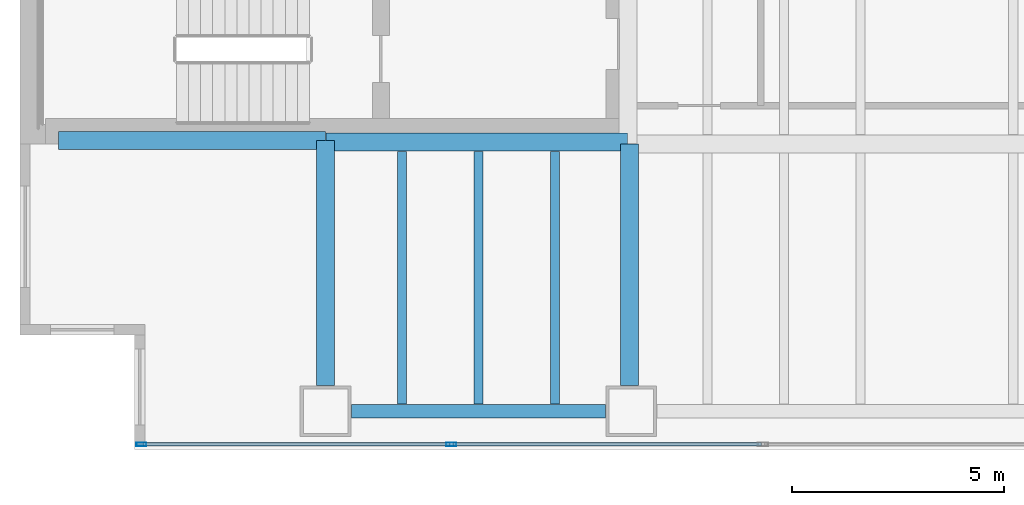
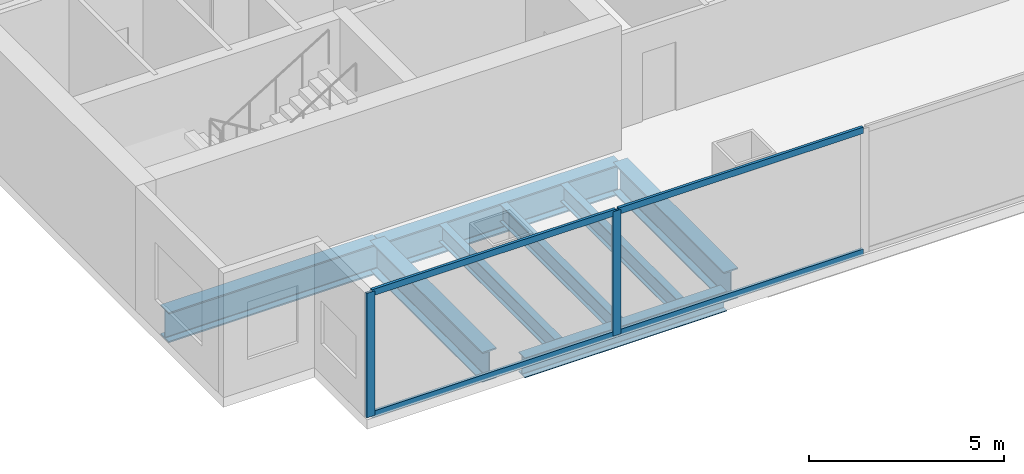
# One storey, part 2 of 31: 8 beams, 6 members, 1 element without a shape of its own.
"""IFC4 building model written with IfcOpenShell, lengths in metres."""

from ifc_helpers import new_model, si_unit, direction, frame, origin, origin_2d, place, context, subcontext, project, spatial, hollow_rectangle, i_section, extrude, material, material_profile, profile_set, type_object, element, aggregate, save


model = new_model("IFC4")

# Units and contexts
model_context = context("Model", 3, precision=1e-05, world=origin(), true_north=direction((0.0, 1.0)))
body_context = subcontext(model_context, "Body", "Model", "MODEL_VIEW")
ifc_project = project(units=[si_unit("LENGTHUNIT", "METRE"), si_unit("AREAUNIT", "SQUARE_METRE"), si_unit("VOLUMEUNIT", "CUBIC_METRE"), si_unit("PLANEANGLEUNIT", "RADIAN"), si_unit("MASSUNIT", "GRAM", prefix="KILO")], contexts=[model_context])

# Site, building, storey
site_placement = place(None, origin())
site = spatial("IfcSite", under=ifc_project, at=site_placement, CompositionType="ELEMENT")
building_placement = place(site_placement, origin())
building = spatial("IfcBuilding", under=site, at=building_placement, Name="Cobrela Telecom Tower", CompositionType="ELEMENT")
storey_placement = place(building_placement, frame((0.0, 0.0, 9.449951171875)))
storey = spatial("IfcBuildingStorey", under=building, at=storey_placement, Name="L02", CompositionType="ELEMENT", Elevation=9.449951171875)

# Beams
ifc_material_1 = material(Name="Steel ASTM A992 Grade 50", Category="steel")
ifc_material_profile_1 = material_profile(ifc_material_1, i_section(OverallWidth=0.424072265625, OverallDepth=0.947021484375, WebThickness=0.02392578125, FlangeThickness=0.042724609375, FilletRadius=0.02392578125, at=origin_2d()), Name="W36X302")
ifc_profile_set_1 = profile_set([ifc_material_profile_1], Name="Steel ASTM A992 Grade 50")
beam_type_1 = type_object("IfcBeamType", Name="BM-GIRD-01", PredefinedType="USERDEFINED", material=ifc_profile_set_1)
beam_1_placement = place(storey_placement, frame((0.905029296875, 7.280029296875, -0.7734375), z_axis=(1.0, 0.0, 0.0), x_axis=(0.0, 1.0, 0.0)))
element("IfcBeam", 1, at=beam_1_placement, inside=storey, type_object=beam_type_1, Name="L02 Primary Girder X10", ObjectType="GIRDER", PredefinedType="USERDEFINED", context=body_context, shape_type="SweptSolid", body=[
    extrude(i_section(OverallWidth=0.424072265625, OverallDepth=0.947021484375, WebThickness=0.02392578125, FlangeThickness=0.042724609375, FilletRadius=0.02392578125, at=origin_2d()), origin(), (0.0, 0.0, 1.0), 6.2900390625),
])
beam_2_placement = place(storey_placement, frame((7.205078125, 7.239990234375, -0.7734375), z_axis=(1.0, 0.0, 0.0), x_axis=(0.0, 1.0, 0.0)))
element("IfcBeam", 2, at=beam_2_placement, inside=storey, type_object=beam_type_1, Name="L02 Primary Girder X11", ObjectType="GIRDER", PredefinedType="USERDEFINED", context=body_context, shape_type="SweptSolid", body=[
    extrude(i_section(OverallWidth=0.424072265625, OverallDepth=0.947021484375, WebThickness=0.02392578125, FlangeThickness=0.042724609375, FilletRadius=0.02392578125, at=origin_2d()), origin(), (0.0, 0.0, 1.0), 7.10986328125),
])
beam_3_placement = place(storey_placement, frame((7.199951171875, 1.5048828125, -0.7734375), z_axis=(0.0, 1.0, 0.0), x_axis=(-1.0, 0.0, 0.0)))
element("IfcBeam", 3, at=beam_3_placement, inside=storey, type_object=beam_type_1, Name="L02 Primary Girder Y57", ObjectType="GIRDER", PredefinedType="USERDEFINED", context=body_context, shape_type="SweptSolid", body=[
    extrude(i_section(OverallWidth=0.424072265625, OverallDepth=0.947021484375, WebThickness=0.02392578125, FlangeThickness=0.042724609375, FilletRadius=0.02392578125, at=origin_2d()), origin(), (0.0, 0.0, 1.0), 5.77001953125),
])
beam_4_placement = place(storey_placement, frame((14.360107421875, 1.5048828125, -0.7734375), z_axis=(0.0, 1.0, 0.0), x_axis=(-1.0, 0.0, 0.0)))
element("IfcBeam", 4, at=beam_4_placement, inside=storey, type_object=beam_type_1, Name="L02 Primary Girder Y60", ObjectType="GIRDER", PredefinedType="USERDEFINED", context=body_context, shape_type="SweptSolid", body=[
    extrude(i_section(OverallWidth=0.424072265625, OverallDepth=0.947021484375, WebThickness=0.02392578125, FlangeThickness=0.042724609375, FilletRadius=0.02392578125, at=origin_2d()), origin(), (0.0, 0.0, 1.0), 5.690185546875),
])
ifc_material_profile_2 = material_profile(ifc_material_1, i_section(OverallWidth=0.212890625, OverallDepth=0.549072265625, WebThickness=0.0146484375, FlangeThickness=0.023681640625, FilletRadius=0.013916015625, at=origin_2d()), Name="W21X93")
ifc_profile_set_2 = profile_set([ifc_material_profile_2], Name="Steel ASTM A992 Grade 50")
beam_type_2 = type_object("IfcBeamType", Name="BM-JOIST-01", PredefinedType="JOIST", material=ifc_profile_set_2)
for number, where, z_axis, x_axis, name in (
    (5, (9.0, 1.069091796875, -0.574462890625), (0.0, 1.0, 0.0), (-1.0, 0.0, 0.0), "L02 Secondary Composite Floor Beam J04"),
    (6, (10.800048828125, 1.069091796875, -0.574462890625), (0.0, 1.0, 0.0), (-1.0, 0.0, 0.0), "L02 Secondary Composite Floor Beam J07"),
    (7, (12.60009765625, 1.069091796875, -0.574462890625), (0.0, 1.0, 0.0), (-1.0, 0.0, 0.0), "L02 Secondary Composite Floor Beam J10"),
):
    element("IfcBeam", number, at=place(storey_placement, frame(where, z_axis=z_axis, x_axis=x_axis)), inside=storey, type_object=beam_type_2, Name=name, PredefinedType="JOIST", context=body_context, shape_type="SweptSolid", body=[
        extrude(i_section(OverallWidth=0.212890625, OverallDepth=0.549072265625, WebThickness=0.0146484375, FlangeThickness=0.023681640625, FilletRadius=0.013916015625, at=origin_2d()), origin(), (0.0, 0.0, 1.0), 5.953857421875),
    ])
ifc_material_profile_3 = material_profile(ifc_material_1, i_section(OverallWidth=0.327880859375, OverallDepth=0.6220703125, WebThickness=0.015380859375, FlangeThickness=0.0244140625, FilletRadius=0.014892578125, at=origin_2d()), Name="W24X131")
ifc_profile_set_3 = profile_set([ifc_material_profile_3], Name="Steel ASTM A992 Grade 50")
beam_type_3 = type_object("IfcBeamType", Name="BM-SPAND-01", PredefinedType="SPANDREL", material=ifc_profile_set_3)
beam_5_placement = place(storey_placement, frame((7.804931640625, 0.89990234375, -0.61083984375), z_axis=(1.0, 0.0, 0.0), x_axis=(0.0, 1.0, 0.0)))
element("IfcBeam", 8, at=beam_5_placement, inside=storey, type_object=beam_type_3, Name="L02 Perimeter Spandrel X01", PredefinedType="SPANDREL", context=body_context, shape_type="SweptSolid", body=[
    extrude(i_section(OverallWidth=0.327880859375, OverallDepth=0.6220703125, WebThickness=0.015380859375, FlangeThickness=0.0244140625, FilletRadius=0.014892578125, at=origin_2d()), origin(), (0.0, 0.0, 1.0), 5.989990234375),
])

# Curtain wall, members
ifc_material_2 = material(Name="Anodized Bronze Aluminium 6063-T6", Category="aluminium")
curtain_wall_type = type_object("IfcCurtainWallType", Name="CW-SYS-CONC", PredefinedType="USERDEFINED", material=ifc_material_2)
curtain_wall_placement = place(storey_placement, origin())
curtain_wall = element("IfcCurtainWall", 9, at=curtain_wall_placement, inside=storey, type_object=curtain_wall_type, Name="L02 Unitised Bronze Curtain Wall 17", ObjectType="UNITISED CURTAIN WALL", PredefinedType="USERDEFINED")
ifc_material_profile_4 = material_profile(ifc_material_2, hollow_rectangle(XDim=0.080078125, YDim=0.239990234375, WallThickness=0.0048828125, at=origin_2d()), Name="ALU 80x240x5")
ifc_profile_set_4 = profile_set([ifc_material_profile_4], Name="Anodized Bronze Aluminium 6063-T6")
member_type_1 = type_object("IfcMemberType", Name="CW-SYS-CONC-MUL", PredefinedType="MULLION", material=ifc_profile_set_4)
member_1_placement = place(storey_placement, frame((10.161865234375, 0.1201171875, 0.0), z_axis=(0.0, 0.0, 1.0), x_axis=(0.0, -1.0, 0.0)))
member_1 = element("IfcMember", 10, at=member_1_placement, type_object=member_type_1, Name="CW-CONC mullion 11", PredefinedType="MULLION", context=body_context, shape_type="SweptSolid", body=[
    extrude(hollow_rectangle(XDim=0.080078125, YDim=0.239990234375, WallThickness=0.0048828125, at=origin_2d()), origin(), (0.0, 0.0, 1.0), 3.900146484375),
])
member_2_placement = place(storey_placement, frame((2.860107421875, 0.1201171875, 0.0), z_axis=(0.0, 0.0, 1.0), x_axis=(0.0, -1.0, 0.0)))
member_2 = element("IfcMember", 11, at=member_2_placement, type_object=member_type_1, Name="CW-CONC mullion 12", PredefinedType="MULLION", context=body_context, shape_type="SweptSolid", body=[
    extrude(hollow_rectangle(XDim=0.080078125, YDim=0.239990234375, WallThickness=0.0048828125, at=origin_2d()), origin(), (0.0, 0.0, 1.0), 3.900146484375),
])
ifc_material_profile_5 = material_profile(ifc_material_2, hollow_rectangle(XDim=0.080078125, YDim=0.199951171875, WallThickness=0.00390625, at=origin_2d()), Name="ALU 80x200x4")
ifc_profile_set_5 = profile_set([ifc_material_profile_5], Name="Anodized Bronze Aluminium 6063-T6")
member_type_2 = type_object("IfcMemberType", Name="CW-SYS-CONC-TRN", PredefinedType="USERDEFINED", material=ifc_profile_set_5)
member_3_placement = place(storey_placement, frame((17.463623046875, 0.1201171875, 0.0400390625), z_axis=(-1.0, 0.0, 0.0), x_axis=(0.0, -1.0, 0.0)))
member_3 = element("IfcMember", 12, at=member_3_placement, type_object=member_type_2, Name="CW-CONC transom 10.1", ObjectType="TRANSOM", PredefinedType="USERDEFINED", context=body_context, shape_type="SweptSolid", body=[
    extrude(hollow_rectangle(XDim=0.080078125, YDim=0.199951171875, WallThickness=0.00390625, at=origin_2d()), origin(), (0.0, 0.0, 1.0), 7.26171875),
])
member_4_placement = place(storey_placement, frame((17.463623046875, 0.1201171875, 3.860107421875), z_axis=(-1.0, 0.0, 0.0), x_axis=(0.0, -1.0, 0.0)))
member_4 = element("IfcMember", 13, at=member_4_placement, type_object=member_type_2, Name="CW-CONC transom 10.2", ObjectType="TRANSOM", PredefinedType="USERDEFINED", context=body_context, shape_type="SweptSolid", body=[
    extrude(hollow_rectangle(XDim=0.080078125, YDim=0.199951171875, WallThickness=0.00390625, at=origin_2d()), origin(), (0.0, 0.0, 1.0), 7.26171875),
])
member_5_placement = place(storey_placement, frame((10.121826171875, 0.1201171875, 0.0400390625), z_axis=(-1.0, 0.0, 0.0), x_axis=(0.0, -1.0, 0.0)))
member_5 = element("IfcMember", 14, at=member_5_placement, type_object=member_type_2, Name="CW-CONC transom 11.1", ObjectType="TRANSOM", PredefinedType="USERDEFINED", context=body_context, shape_type="SweptSolid", body=[
    extrude(hollow_rectangle(XDim=0.080078125, YDim=0.199951171875, WallThickness=0.00390625, at=origin_2d()), origin(), (0.0, 0.0, 1.0), 7.221923828125),
])
member_6_placement = place(storey_placement, frame((10.121826171875, 0.1201171875, 3.860107421875), z_axis=(-1.0, 0.0, 0.0), x_axis=(0.0, -1.0, 0.0)))
member_6 = element("IfcMember", 15, at=member_6_placement, type_object=member_type_2, Name="CW-CONC transom 11.2", ObjectType="TRANSOM", PredefinedType="USERDEFINED", context=body_context, shape_type="SweptSolid", body=[
    extrude(hollow_rectangle(XDim=0.080078125, YDim=0.199951171875, WallThickness=0.00390625, at=origin_2d()), origin(), (0.0, 0.0, 1.0), 7.221923828125),
])
aggregate(curtain_wall, [member_1, member_2, member_3, member_4, member_5, member_6])

save(model, "model.ifc")
